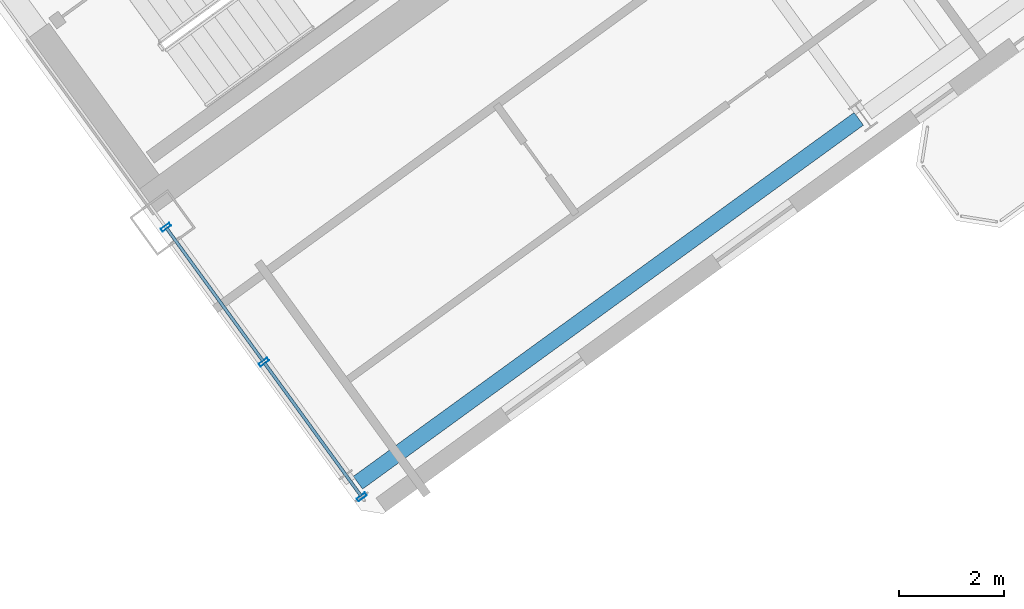
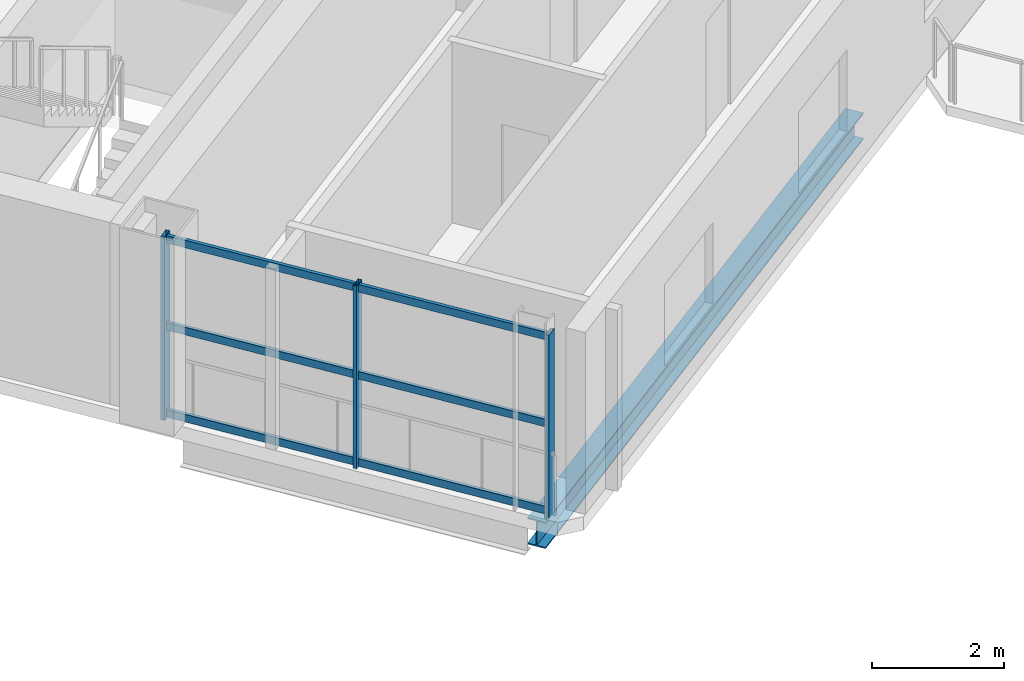
# One storey, part 8 of 18: 9 members, 1 beam, 1 element without a shape of its own.
"""IFC4 building model written with IfcOpenShell, lengths in metres."""

import ifcopenshell
import ifcopenshell.guid

model = None  # the IFC model being written
_history = None  # IfcOwnerHistory: only IFC2X3 demands one
_inside = {}  # id of a spatial element -> (the spatial element, [elements in it])
_under = {}  # id of a project, library or spatial element -> (it, [spatial elements below it])
_declared = {}  # id of a project -> (the project, [libraries it declares])
_typed = {}  # id of a type object -> (the type object, [elements of that type])
_made_of = {}  # id of a material, layer set ... -> (it, [elements and type objects made of it])


def new_model(schema):
    """Start an empty IFC model of exactly this schema.

    Asked for "IFC4X3", IfcOpenShell would pick the latest addendum, in which some entities
    have other attributes; the version numbers below select the first issue.
    IFC2X3 requires an IfcOwnerHistory on every rooted entity: one is made here for all.
    """
    global model, _history
    if schema == "IFC4X3":
        model = ifcopenshell.file(schema_version=(4, 3, 0, 0))
    else:
        model = ifcopenshell.file(schema=schema)
    _inside.clear()
    _under.clear()
    _declared.clear()
    _typed.clear()
    _made_of.clear()
    _history = None
    if model.schema == "IFC2X3":
        org = make("IfcOrganization", Name="unknown")
        user = make(
            "IfcPersonAndOrganization",
            ThePerson=make("IfcPerson", FamilyName="unknown"),
            TheOrganization=org,
        )
        app = make(
            "IfcApplication",
            ApplicationDeveloper=org,
            Version="unknown",
            ApplicationFullName="unknown",
            ApplicationIdentifier="unknown",
        )
        _history = make(
            "IfcOwnerHistory",
            OwningUser=user,
            OwningApplication=app,
            ChangeAction="ADDED",
            CreationDate=0,
        )
    return model


def make(cls, **values):
    """One entity of the class cls with the attributes given. An attribute that is None is left unset."""
    return model.create_entity(
        cls, **{name: value for name, value in values.items() if value is not None}
    )


def rooted(cls, **values):
    """An entity with a GlobalId (a new one), such as an element, a storey or a relation."""
    return make(cls, GlobalId=ifcopenshell.guid.new(), OwnerHistory=_history, **values)


def si_unit(unit_type, name, prefix=None):
    """IfcSIUnit, for example si_unit("LENGTHUNIT", "METRE", prefix="MILLI")."""
    return make("IfcSIUnit", UnitType=unit_type, Prefix=prefix, Name=name)


def assignment(units):
    """IfcUnitAssignment: the units of a project."""
    return None if units is None else make("IfcUnitAssignment", Units=units)


def point(xyz):
    """IfcCartesianPoint."""
    return None if xyz is None else make("IfcCartesianPoint", Coordinates=xyz)


def direction(xyz):
    """IfcDirection."""
    return None if xyz is None else make("IfcDirection", DirectionRatios=xyz)


def frame(location, z_axis=None, x_axis=None):
    """IfcAxis2Placement3D, a coordinate frame: its origin and axes. An axis left out is left unset."""
    return make(
        "IfcAxis2Placement3D",
        Location=point(location),
        Axis=direction(z_axis),
        RefDirection=direction(x_axis),
    )


def frame_2d(location, x_axis=None):
    """IfcAxis2Placement2D, a coordinate frame in the plane: its origin and x axis."""
    return make(
        "IfcAxis2Placement2D", Location=point(location), RefDirection=direction(x_axis)
    )


def origin():
    """The frame at (0, 0, 0) with its axes left unset."""
    return frame((0.0, 0.0, 0.0))


def origin_2d():
    """The frame at (0, 0) in the plane with its x axis left unset."""
    return frame_2d((0.0, 0.0))


def place(relative_to, where):
    """IfcLocalPlacement: puts the frame where relative to a parent placement (None: the world)."""
    return make(
        "IfcLocalPlacement", PlacementRelTo=relative_to, RelativePlacement=where
    )


def context(
    kind, dimensions, precision=None, world=None, true_north=None, identifier=None
):
    """IfcGeometricRepresentationContext, for example the 3D "Model" context."""
    return make(
        "IfcGeometricRepresentationContext",
        ContextIdentifier=identifier,
        ContextType=kind,
        CoordinateSpaceDimension=dimensions,
        Precision=precision,
        WorldCoordinateSystem=world,
        TrueNorth=true_north,
    )


def subcontext(parent, identifier, kind, view, scale=None):
    """IfcGeometricRepresentationSubContext, for example "Body" below "Model"."""
    return make(
        "IfcGeometricRepresentationSubContext",
        ContextIdentifier=identifier,
        ContextType=kind,
        ParentContext=parent,
        TargetScale=scale,
        TargetView=view,
    )


def project(units=None, contexts=None):
    """IfcProject with its units and contexts."""
    return rooted(
        "IfcProject",
        Name="project",
        RepresentationContexts=contexts,
        UnitsInContext=assignment(units),
    )


def spatial(cls, under=None, at=None, **own):
    """A site, building, storey or space (cls), placed at a placement, below another one or the project."""
    s = rooted(cls, ObjectPlacement=at, **own)
    if under is not None:
        _under.setdefault(under.id(), (under, []))[1].append(s)
    return s


def profile(cls, at=None, kind="AREA", **sizes):
    """A parametric profile (cls). Its sizes go by their IFC names, for example OverallWidth=200.0."""
    return make(cls, ProfileType=kind, Position=at, **sizes)


def hollow_rectangle(**sizes):
    """IfcRectangleHollowProfileDef."""
    return profile("IfcRectangleHollowProfileDef", **sizes)


def i_section(**sizes):
    """IfcIShapeProfileDef."""
    return profile("IfcIShapeProfileDef", **sizes)


def extrude(swept, where, along, depth):
    """IfcExtrudedAreaSolid: the profile swept, set in the frame where, extruded along a direction by depth."""
    return make(
        "IfcExtrudedAreaSolid",
        SweptArea=swept,
        Position=where,
        ExtrudedDirection=direction(along),
        Depth=depth,
    )


def shape(context_of_items, identifier, shape_type, items):
    """IfcShapeRepresentation: the items that make up one representation, for example the "Body"."""
    return make(
        "IfcShapeRepresentation",
        ContextOfItems=context_of_items,
        RepresentationIdentifier=identifier,
        RepresentationType=shape_type,
        Items=items,
    )


def source(mapping_origin, context_of_items, identifier, shape_type, items):
    """IfcRepresentationMap: a shape defined once, which mapped items show again and again."""
    return make(
        "IfcRepresentationMap",
        MappingOrigin=mapping_origin,
        MappedRepresentation=shape(context_of_items, identifier, shape_type, items),
    )


def transform(
    local_origin,
    x_axis=None,
    y_axis=None,
    z_axis=None,
    scale=None,
    scale2=None,
    scale3=None,
    uniform=True,
):
    """IfcCartesianTransformationOperator3D, or its non-uniform kind. x_axis, y_axis, z_axis: its Axis1, 2, 3."""
    if uniform:
        return make(
            "IfcCartesianTransformationOperator3D",
            Axis1=direction(x_axis),
            Axis2=direction(y_axis),
            LocalOrigin=point(local_origin),
            Scale=scale,
            Axis3=direction(z_axis),
        )
    return make(
        "IfcCartesianTransformationOperator3DnonUniform",
        Axis1=direction(x_axis),
        Axis2=direction(y_axis),
        LocalOrigin=point(local_origin),
        Scale=scale,
        Axis3=direction(z_axis),
        Scale2=scale2,
        Scale3=scale3,
    )


def mapped(mapping_source, mapping_target):
    """IfcMappedItem: shows the shape of a source again, moved by a transform."""
    return make(
        "IfcMappedItem", MappingSource=mapping_source, MappingTarget=mapping_target
    )


def material(Name=None, Category=None):
    """IfcMaterial."""
    return make("IfcMaterial", Name=Name, Category=Category)


def material_profile(
    of_material, cross_section, Name=None, Category=None, Priority=None
):
    """IfcMaterialProfile: a cross section and its material."""
    return make(
        "IfcMaterialProfile",
        Name=Name,
        Material=of_material,
        Profile=cross_section,
        Priority=Priority,
        Category=Category,
    )


def profile_set(profiles, Name=None, composite=None):
    """IfcMaterialProfileSet."""
    return make(
        "IfcMaterialProfileSet",
        Name=Name,
        MaterialProfiles=profiles,
        CompositeProfile=composite,
    )


def made_of(thing, what):
    """Note that an element or type object is made of a material, layer set ...; save() writes the relation."""
    if what is not None:
        _made_of.setdefault(what.id(), (what, []))[1].append(thing)
    return thing


def type_object(cls, material=None, **own):
    """A type object (cls), such as IfcWallType, which elements share."""
    return made_of(rooted(cls, **own), material)


def element(
    cls,
    number,
    at=None,
    inside=None,
    cuts=None,
    type_object=None,
    material=None,
    context=None,
    identifier="Body",
    shape_type=None,
    held_by="IfcProductDefinitionShape",
    body=None,
    shapes=None,
    **own,
):
    """One element of the class cls, such as IfcWall. Its Tag is "e" and its number.

    at: its placement. inside: the storey or other place that contains it. cuts: it is an
    opening in that element (IfcRelVoidsElement). A single representation is given by context,
    identifier, shape_type and body (its items); several are given by shapes. held_by: the class
    of the entity that holds the representations. save() writes the other relations.
    """
    e = rooted(cls, Tag="e%d" % number, ObjectPlacement=at, **own)
    if body is not None:
        shapes = [shape(context, identifier, shape_type, body)]
    if shapes is not None:
        e.Representation = make(held_by, Representations=shapes)
    if inside is not None:
        _inside.setdefault(inside.id(), (inside, []))[1].append(e)
    if cuts is not None:
        rooted(
            "IfcRelVoidsElement", RelatingBuildingElement=cuts, RelatedOpeningElement=e
        )
    if type_object is not None:
        _typed.setdefault(type_object.id(), (type_object, []))[1].append(e)
    return made_of(e, material)


def aggregate(whole, parts):
    """IfcRelAggregates: a whole, such as a stair, and the parts it consists of."""
    return rooted("IfcRelAggregates", RelatingObject=whole, RelatedObjects=parts)


def save(model, path):
    """Write the relations noted so far, then the file.

    IfcRelAggregates (storeys below a building ...), IfcRelContainedInSpatialStructure (elements
    in a storey), IfcRelDefinesByType, IfcRelAssociatesMaterial and IfcRelDeclares: one each for
    every whole, place, type object, material and project.
    """
    for whole, parts in _under.values():
        aggregate(whole, parts)
    for where, things in _inside.values():
        rooted(
            "IfcRelContainedInSpatialStructure",
            RelatedElements=things,
            RelatingStructure=where,
        )
    for kind, things in _typed.values():
        rooted("IfcRelDefinesByType", RelatedObjects=things, RelatingType=kind)
    for what, things in _made_of.values():
        rooted("IfcRelAssociatesMaterial", RelatedObjects=things, RelatingMaterial=what)
    for by, libraries in _declared.values():
        rooted("IfcRelDeclares", RelatingContext=by, RelatedDefinitions=libraries)
    model.write(path)


model = new_model("IFC4")

# Units and contexts
model_context = context("Model", 3, precision=1e-05, world=origin(), true_north=direction((0.0, 1.0)))
body_context = subcontext(model_context, "Body", "Model", "MODEL_VIEW")
ifc_project = project(units=[si_unit("LENGTHUNIT", "METRE"), si_unit("AREAUNIT", "SQUARE_METRE"), si_unit("VOLUMEUNIT", "CUBIC_METRE"), si_unit("PLANEANGLEUNIT", "RADIAN"), si_unit("MASSUNIT", "GRAM", prefix="KILO")], contexts=[model_context])

# Site, building, storey
site_placement = place(None, origin())
site = spatial("IfcSite", under=ifc_project, at=site_placement, CompositionType="ELEMENT")
building_placement = place(site_placement, origin())
building = spatial("IfcBuilding", under=site, at=building_placement, Name="Tlacorven Tower", CompositionType="ELEMENT")
storey_placement = place(building_placement, frame((0.0, 0.0, 140.699951171875)))
storey = spatial("IfcBuildingStorey", under=building, at=storey_placement, Name="L35", CompositionType="ELEMENT", Elevation=140.699951171875)

# Beam
ifc_material_1 = material(Name="Steel S355J2", Category="steel")
ifc_material_profile_1 = material_profile(ifc_material_1, i_section(OverallWidth=0.300048828125, OverallDepth=0.489990234375, WebThickness=0.011962890625, FlangeThickness=0.02294921875, at=origin_2d()), Name="HEA 500")
ifc_profile_set_1 = profile_set([ifc_material_profile_1], Name="Steel S355J2")
beam_type = type_object("IfcBeamType", Name="BM-SPN-500", PredefinedType="SPANDREL", material=ifc_profile_set_1)
shared_shape_1 = source(origin(), body_context, "Body", "SweptSolid", [
    extrude(i_section(OverallWidth=0.300048828125, OverallDepth=0.489990234375, WebThickness=0.011962890625, FlangeThickness=0.02294921875, at=origin_2d()), origin(), (0.0, 0.0, 1.0), 11.800048828125),
])
beam_placement = place(storey_placement, frame((56.4306640625, 7.816162109375, -0.494873046875), z_axis=(0.80900977213, 0.587795192732, 0.0), x_axis=(-0.587795192732, 0.80900977213, 0.0)))
element("IfcBeam", 1, at=beam_placement, inside=storey, type_object=beam_type, Name="L35 beam BM-L35-EL1-1", PredefinedType="SPANDREL", context=body_context, shape_type="MappedRepresentation", body=[
    mapped(shared_shape_1, transform((0.0, 0.0, 0.0), scale=1.0)),
])

# Curtain wall, members
ifc_material_2 = material(Name="Dark solar low-E double glazing in aluminium frame", Category="aluminium")
curtain_wall_type = type_object("IfcCurtainWallType", Name="CW-TWR-MID", PredefinedType="USERDEFINED", material=ifc_material_2)
curtain_wall_placement = place(storey_placement, origin())
curtain_wall = element("IfcCurtainWall", 2, at=curtain_wall_placement, inside=storey, type_object=curtain_wall_type, Name="L35 CW-TWR-MID Curtain Wall 162", ObjectType="UNITISED CURTAIN WALL", PredefinedType="USERDEFINED")
ifc_material_3 = material(Name="Aluminium 6063-T6 anodised", Category="aluminium")
ifc_material_profile_2 = material_profile(ifc_material_3, hollow_rectangle(XDim=0.06494140625, YDim=0.199951171875, WallThickness=0.00439453125, at=origin_2d()), Name="ALU MULLION 65X200")
ifc_profile_set_2 = profile_set([ifc_material_profile_2], Name="Aluminium 6063-T6 anodised")
member_type_1 = type_object("IfcMemberType", Name="CWM-02", PredefinedType="MULLION", material=ifc_profile_set_2)
shared_shape_2 = source(origin(), body_context, "Body", "SweptSolid", [
    extrude(hollow_rectangle(XDim=0.06494140625, YDim=0.199951171875, WallThickness=0.00439453125, at=origin_2d()), origin(), (0.0, 0.0, 1.0), 3.380126953125),
])
member_1_placement = place(storey_placement, frame((56.503173828125, 7.546142578125, -0.02001953125), z_axis=(0.0, 0.0, 1.0), x_axis=(-0.587785363163, 0.809016913823, 0.0)))
member_1 = element("IfcMember", 3, at=member_1_placement, type_object=member_type_1, Name="CW-L35-162 Mullion 1", PredefinedType="MULLION", context=body_context, shape_type="MappedRepresentation", body=[
    mapped(shared_shape_2, transform((0.0, 0.0, 0.0), scale=1.0)),
])
member_2_placement = place(storey_placement, frame((54.635986328125, 10.1162109375, -0.02001953125), z_axis=(0.0, 0.0, 1.0), x_axis=(-0.587785363163, 0.809016913823, 0.0)))
member_2 = element("IfcMember", 4, at=member_2_placement, type_object=member_type_1, Name="CW-L35-162 Mullion 2", PredefinedType="MULLION", context=body_context, shape_type="MappedRepresentation", body=[
    mapped(shared_shape_2, transform((0.0, 0.0, 0.0), scale=1.0)),
])
member_3_placement = place(storey_placement, frame((52.7685546875, 12.6865234375, -0.02001953125), z_axis=(0.0, 0.0, 1.0), x_axis=(-0.587785363163, 0.809016913823, 0.0)))
member_3 = element("IfcMember", 5, at=member_3_placement, type_object=member_type_1, Name="CW-L35-162 Mullion 3", PredefinedType="MULLION", context=body_context, shape_type="MappedRepresentation", body=[
    mapped(shared_shape_2, transform((0.0, 0.0, 0.0), scale=1.0)),
])
ifc_material_profile_3 = material_profile(ifc_material_3, hollow_rectangle(XDim=0.06005859375, YDim=0.139892578125, WallThickness=0.00390625, at=origin_2d()), Name="ALU TRANSOM 60X140")
ifc_profile_set_3 = profile_set([ifc_material_profile_3], Name="Aluminium 6063-T6 anodised")
member_type_2 = type_object("IfcMemberType", Name="CWT-02", PredefinedType="USERDEFINED", material=ifc_profile_set_3)
shared_shape_3 = source(origin(), body_context, "Body", "SweptSolid", [
    extrude(hollow_rectangle(XDim=0.06005859375, YDim=0.139892578125, WallThickness=0.00390625, at=origin_2d()), origin(), (0.0, 0.0, 1.0), 3.1357421875),
])
member_4_placement = place(storey_placement, frame((56.4912109375, 7.562744140625, 0.070068359375), z_axis=(-0.587810556927, 0.808998608877, 0.0), x_axis=(-0.808998608877, -0.587810556927, 0.0)))
member_4 = element("IfcMember", 6, at=member_4_placement, type_object=member_type_2, Name="CW-L35-162 Transom 1", ObjectType="TRANSOM", PredefinedType="USERDEFINED", context=body_context, shape_type="MappedRepresentation", body=[
    mapped(shared_shape_3, transform((0.0, 0.0, 0.0), scale=1.0)),
])
member_5_placement = place(storey_placement, frame((56.4912109375, 7.562744140625, 1.675048828125), z_axis=(-0.587810556927, 0.808998608877, 0.0), x_axis=(-0.808998608877, -0.587810556927, 0.0)))
member_5 = element("IfcMember", 7, at=member_5_placement, type_object=member_type_2, Name="CW-L35-162 Transom 2", ObjectType="TRANSOM", PredefinedType="USERDEFINED", context=body_context, shape_type="MappedRepresentation", body=[
    mapped(shared_shape_3, transform((0.0, 0.0, 0.0), scale=1.0)),
])
member_6_placement = place(storey_placement, frame((56.4912109375, 7.562744140625, 3.280029296875), z_axis=(-0.587810556927, 0.808998608877, 0.0), x_axis=(-0.808998608877, -0.587810556927, 0.0)))
member_6 = element("IfcMember", 8, at=member_6_placement, type_object=member_type_2, Name="CW-L35-162 Transom 3", ObjectType="TRANSOM", PredefinedType="USERDEFINED", context=body_context, shape_type="MappedRepresentation", body=[
    mapped(shared_shape_3, transform((0.0, 0.0, 0.0), scale=1.0)),
])
member_7_placement = place(storey_placement, frame((54.623779296875, 10.1328125, 0.070068359375), z_axis=(-0.587722576724, 0.809062527132, 0.0), x_axis=(-0.809062527132, -0.587722576724, 0.0)))
member_7 = element("IfcMember", 9, at=member_7_placement, type_object=member_type_2, Name="CW-L35-162 Transom 4", ObjectType="TRANSOM", PredefinedType="USERDEFINED", context=body_context, shape_type="MappedRepresentation", body=[
    mapped(shared_shape_3, transform((0.0, 0.0, 0.0), scale=1.0)),
])
member_8_placement = place(storey_placement, frame((54.623779296875, 10.1328125, 1.675048828125), z_axis=(-0.587722576724, 0.809062527132, 0.0), x_axis=(-0.809062527132, -0.587722576724, 0.0)))
member_8 = element("IfcMember", 10, at=member_8_placement, type_object=member_type_2, Name="CW-L35-162 Transom 5", ObjectType="TRANSOM", PredefinedType="USERDEFINED", context=body_context, shape_type="MappedRepresentation", body=[
    mapped(shared_shape_3, transform((0.0, 0.0, 0.0), scale=1.0)),
])
member_9_placement = place(storey_placement, frame((54.623779296875, 10.1328125, 3.280029296875), z_axis=(-0.587722576724, 0.809062527132, 0.0), x_axis=(-0.809062527132, -0.587722576724, 0.0)))
member_9 = element("IfcMember", 11, at=member_9_placement, type_object=member_type_2, Name="CW-L35-162 Transom 6", ObjectType="TRANSOM", PredefinedType="USERDEFINED", context=body_context, shape_type="MappedRepresentation", body=[
    mapped(shared_shape_3, transform((0.0, 0.0, 0.0), scale=1.0)),
])
aggregate(curtain_wall, [member_1, member_2, member_3, member_4, member_5, member_6, member_7, member_8, member_9])

save(model, "model.ifc")
